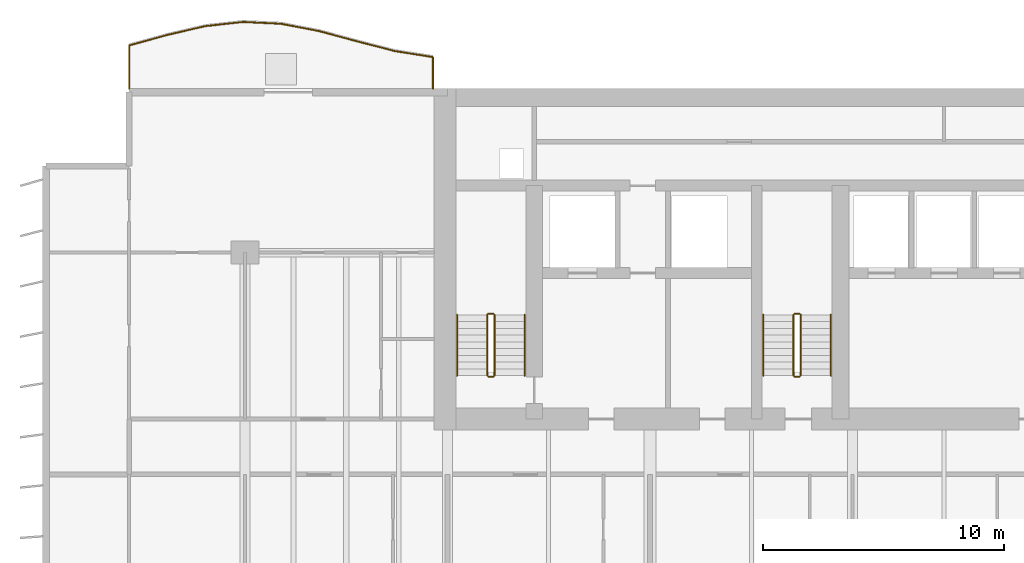
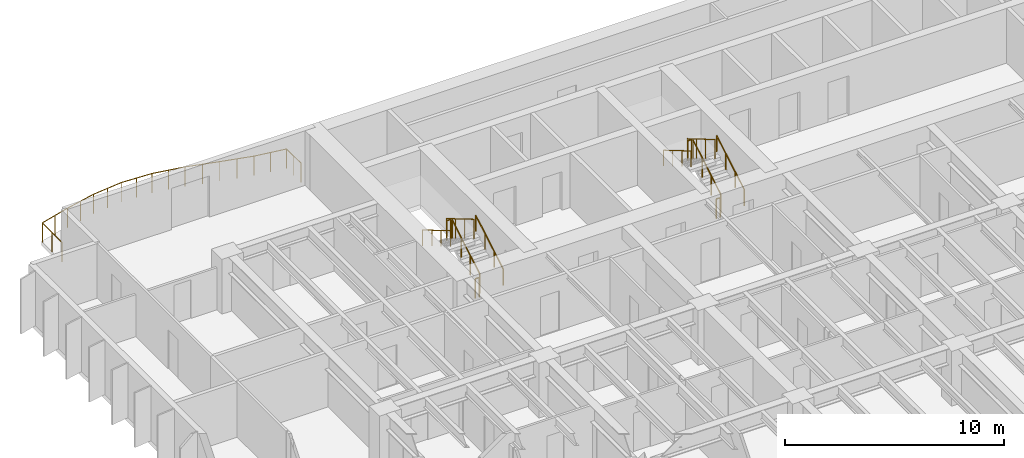
# One storey, part 15 of 17: 13 railings.
"""IFC4 building model written with IfcOpenShell, lengths in metres."""

from ifc_helpers import new_model, si_unit, direction, frame, origin, origin_2d, place, context, subcontext, project, spatial, circle, extrude, material, type_object, element, save


model = new_model("IFC4")

# Units and contexts
model_context = context("Model", 3, precision=1e-05, world=origin(), true_north=direction((0.0, 1.0)))
body_context = subcontext(model_context, "Body", "Model", "MODEL_VIEW")
ifc_project = project(units=[si_unit("LENGTHUNIT", "METRE"), si_unit("AREAUNIT", "SQUARE_METRE"), si_unit("VOLUMEUNIT", "CUBIC_METRE"), si_unit("PLANEANGLEUNIT", "RADIAN"), si_unit("MASSUNIT", "GRAM", prefix="KILO")], contexts=[model_context])

# Site, building, storey
site_placement = place(None, origin())
site = spatial("IfcSite", under=ifc_project, at=site_placement, CompositionType="ELEMENT")
building_placement = place(site_placement, origin())
building = spatial("IfcBuilding", under=site, at=building_placement, Name="Caelmar Bay Residences", CompositionType="ELEMENT")
storey_placement = place(building_placement, frame((0.0, 0.0, 53.10009765625)))
storey = spatial("IfcBuildingStorey", under=building, at=storey_placement, Name="L13", CompositionType="ELEMENT", Elevation=53.10009765625)

# Railings
ifc_material_1 = material(Name="Anodised bronze handrail with laminated hurricane glass infill", Category="glass")
railing_type_1 = type_object("IfcRailingType", Name="RL-BAL-1100", PredefinedType="BALUSTRADE", material=ifc_material_1)
railing_1_placement = place(storey_placement, frame((17.699951171875, 50.60009765625, 0.0)))
element("IfcRailing", 1, at=railing_1_placement, inside=storey, type_object=railing_type_1, Name="L13 north_west Balcony Balustrade", PredefinedType="BALUSTRADE", context=body_context, shape_type="SweptSolid", body=[
    extrude(circle(Radius=0.02392578125, at=origin_2d()), frame((0.0, 0.0, 1.076171875), z_axis=(0.0, 1.0, 0.0), x_axis=(-1.0, 0.0, 0.0)), (0.0, 0.0, 1.0), 1.306640625),
    extrude(circle(Radius=0.02392578125, at=origin_2d()), frame((0.0, 1.306640625, 1.076171875), z_axis=(-0.98772942327, 0.156174858431, 0.0), x_axis=(-0.156174858431, -0.98772942327, 0.0)), (0.0, 0.0, 1.0), 1.594482421875),
    extrude(circle(Radius=0.02392578125, at=origin_2d()), frame((-1.574951171875, 1.5556640625, 1.076171875), z_axis=(-0.968414261795, 0.249346781715, 0.0), x_axis=(-0.249346781715, -0.968414261795, 0.0)), (0.0, 0.0, 1.0), 1.626220703125),
    extrude(circle(Radius=0.02392578125, at=origin_2d()), frame((-3.14990234375, 1.961181640625, 1.076171875), z_axis=(-0.965420419953, 0.260697933895, 0.0), x_axis=(-0.260697933895, -0.965420419953, 0.0)), (0.0, 0.0, 1.0), 1.63134765625),
    extrude(circle(Radius=0.02392578125, at=origin_2d()), frame((-4.724853515625, 2.386474609375, 1.076171875), z_axis=(-0.982140830907, 0.18814725155, 0.0), x_axis=(-0.18814725155, -0.982140830907, 0.0)), (0.0, 0.0, 1.0), 1.603759765625),
    extrude(circle(Radius=0.02392578125, at=origin_2d()), frame((-6.300048828125, 2.688232421875, 1.076171875), z_axis=(-0.998824997948, 0.048462598722, 0.0), x_axis=(-0.048462598722, -0.998824997948, 0.0)), (0.0, 0.0, 1.0), 1.576904296875),
    extrude(circle(Radius=0.02392578125, at=origin_2d()), frame((-7.875, 2.7646484375, 1.076171875), z_axis=(-0.993913760533, -0.110160957802, 0.0), x_axis=(0.110160957802, -0.993913760533, 0.0)), (0.0, 0.0, 1.0), 1.584716796875),
    extrude(circle(Radius=0.02392578125, at=origin_2d()), frame((-9.449951171875, 2.590087890625, 1.076171875), z_axis=(-0.973949121844, -0.226766637887, 0.0), x_axis=(0.226766637887, -0.973949121844, 0.0)), (0.0, 0.0, 1.0), 1.6171875),
    extrude(circle(Radius=0.02392578125, at=origin_2d()), frame((-11.02490234375, 2.223388671875, 1.076171875), z_axis=(-0.963861744869, -0.266402959402, 0.0), x_axis=(0.266402959402, -0.963861744869, 0.0)), (0.0, 0.0, 1.0), 1.634033203125),
    extrude(circle(Radius=0.02392578125, at=origin_2d()), frame((-12.599853515625, 1.7880859375, 1.076171875), z_axis=(0.0, -1.0, 0.0), x_axis=(1.0, 0.0, 0.0)), (0.0, 0.0, 1.0), 1.7880859375),
    extrude(circle(Radius=0.02099609375, at=origin_2d()), origin(), (0.0, 0.0, 1.0), 1.052001953125),
    extrude(circle(Radius=0.02099609375, at=origin_2d()), frame((0.0, 0.6533203125, 0.0)), (0.0, 0.0, 1.0), 1.052001953125),
    extrude(circle(Radius=0.02099609375, at=origin_2d()), frame((0.0, 1.306640625, 0.0)), (0.0, 0.0, 1.0), 1.052001953125),
    extrude(circle(Radius=0.02099609375, at=origin_2d()), frame((-0.78759765625, 1.43115234375, 0.0)), (0.0, 0.0, 1.0), 1.052001953125),
    extrude(circle(Radius=0.02099609375, at=origin_2d()), frame((-1.574951171875, 1.5556640625, 0.0)), (0.0, 0.0, 1.0), 1.052001953125),
    extrude(circle(Radius=0.02099609375, at=origin_2d()), frame((-2.3623046875, 1.75830078125, 0.0)), (0.0, 0.0, 1.0), 1.052001953125),
    extrude(circle(Radius=0.02099609375, at=origin_2d()), frame((-3.14990234375, 1.961181640625, 0.0)), (0.0, 0.0, 1.0), 1.052001953125),
    extrude(circle(Radius=0.02099609375, at=origin_2d()), frame((-3.9375, 2.173828125, 0.0)), (0.0, 0.0, 1.0), 1.052001953125),
    extrude(circle(Radius=0.02099609375, at=origin_2d()), frame((-4.724853515625, 2.386474609375, 0.0)), (0.0, 0.0, 1.0), 1.052001953125),
    extrude(circle(Radius=0.02099609375, at=origin_2d()), frame((-5.512451171875, 2.537353515625, 0.0)), (0.0, 0.0, 1.0), 1.052001953125),
    extrude(circle(Radius=0.02099609375, at=origin_2d()), frame((-6.300048828125, 2.688232421875, 0.0)), (0.0, 0.0, 1.0), 1.052001953125),
    extrude(circle(Radius=0.02099609375, at=origin_2d()), frame((-7.08740234375, 2.7265625, 0.0)), (0.0, 0.0, 1.0), 1.052001953125),
    extrude(circle(Radius=0.02099609375, at=origin_2d()), frame((-7.875, 2.7646484375, 0.0)), (0.0, 0.0, 1.0), 1.052001953125),
    extrude(circle(Radius=0.02099609375, at=origin_2d()), frame((-8.66259765625, 2.67724609375, 0.0)), (0.0, 0.0, 1.0), 1.052001953125),
    extrude(circle(Radius=0.02099609375, at=origin_2d()), frame((-9.449951171875, 2.590087890625, 0.0)), (0.0, 0.0, 1.0), 1.052001953125),
    extrude(circle(Radius=0.02099609375, at=origin_2d()), frame((-10.2373046875, 2.40673828125, 0.0)), (0.0, 0.0, 1.0), 1.052001953125),
    extrude(circle(Radius=0.02099609375, at=origin_2d()), frame((-11.02490234375, 2.223388671875, 0.0)), (0.0, 0.0, 1.0), 1.052001953125),
    extrude(circle(Radius=0.02099609375, at=origin_2d()), frame((-11.8125, 2.005859375, 0.0)), (0.0, 0.0, 1.0), 1.052001953125),
    extrude(circle(Radius=0.02099609375, at=origin_2d()), frame((-12.599853515625, 1.7880859375, 0.0)), (0.0, 0.0, 1.0), 1.052001953125),
    extrude(circle(Radius=0.02099609375, at=origin_2d()), frame((-12.599853515625, 0.89404296875, 0.0)), (0.0, 0.0, 1.0), 1.052001953125),
    extrude(circle(Radius=0.02099609375, at=origin_2d()), frame((-12.599853515625, 0.0, 0.0)), (0.0, 0.0, 1.0), 1.052001953125),
])
ifc_material_2 = material(Name="Painted galvanized steel stair guard 1100 mm", Category="steel")
railing_type_2 = type_object("IfcRailingType", Name="RL-GRD-1100", PredefinedType="GUARDRAIL", material=ifc_material_2)
railing_2_placement = place(storey_placement, frame((20.25, 38.699951171875, 0.164794921875)))
element("IfcRailing", 2, at=railing_2_placement, inside=storey, type_object=railing_type_2, Name="L13 ST1 stair guard 1", PredefinedType="GUARDRAIL", context=body_context, shape_type="SweptSolid", body=[
    extrude(circle(Radius=0.02392578125, at=origin_2d()), frame((0.0, 0.0, 1.076171875), z_axis=(0.0, 0.86152411907, 0.507716645641), x_axis=(-1.0, 0.0, 0.0)), (0.0, 0.0, 1.0), 2.925048828125),
    extrude(circle(Radius=0.02099609375, at=origin_2d()), origin(), (0.0, 0.0, 1.0), 1.052001953125),
    extrude(circle(Radius=0.02099609375, at=origin_2d()), frame((0.0, 0.840087890625, 0.4951171875)), (0.0, 0.0, 1.0), 1.052001953125),
    extrude(circle(Radius=0.02099609375, at=origin_2d()), frame((0.0, 1.679931640625, 0.989990234375)), (0.0, 0.0, 1.0), 1.052001953125),
    extrude(circle(Radius=0.02099609375, at=origin_2d()), frame((0.0, 2.52001953125, 1.485107421875)), (0.0, 0.0, 1.0), 1.052001953125),
])
railing_3_placement = place(storey_placement, frame((20.199951171875, 41.27001953125, 1.64990234375)))
element("IfcRailing", 3, at=railing_3_placement, inside=storey, type_object=railing_type_2, Name="L13 ST1 stair guard 2", PredefinedType="GUARDRAIL", context=body_context, shape_type="SweptSolid", body=[
    extrude(circle(Radius=0.02392578125, at=origin_2d()), frame((0.0, 0.0, 1.076171875), z_axis=(-1.0, 0.0, 0.0), x_axis=(0.0, -1.0, 0.0)), (0.0, 0.0, 1.0), 0.199951171875),
    extrude(circle(Radius=0.02099609375, at=origin_2d()), origin(), (0.0, 0.0, 1.0), 1.052001953125),
    extrude(circle(Radius=0.02099609375, at=origin_2d()), frame((-0.199951171875, 0.0, 0.0)), (0.0, 0.0, 1.0), 1.052001953125),
])
railing_4_placement = place(storey_placement, frame((19.949951171875, 41.219970703125, 1.81494140625)))
element("IfcRailing", 4, at=railing_4_placement, inside=storey, type_object=railing_type_2, Name="L13 ST1 stair guard 3", PredefinedType="GUARDRAIL", context=body_context, shape_type="SweptSolid", body=[
    extrude(circle(Radius=0.02392578125, at=origin_2d()), frame((0.0, 0.0, 1.076171875), z_axis=(0.0, -0.861560626758, 0.507654692109), x_axis=(1.0, 0.0, 0.0)), (0.0, 0.0, 1.0), 2.925048828125),
    extrude(circle(Radius=0.02099609375, at=origin_2d()), origin(), (0.0, 0.0, 1.0), 1.052001953125),
    extrude(circle(Radius=0.02099609375, at=origin_2d()), frame((0.0, -0.840087890625, 0.494873046875)), (0.0, 0.0, 1.0), 1.052001953125),
    extrude(circle(Radius=0.02099609375, at=origin_2d()), frame((0.0, -1.679931640625, 0.989990234375)), (0.0, 0.0, 1.0), 1.052001953125),
    extrude(circle(Radius=0.02099609375, at=origin_2d()), frame((0.0, -2.52001953125, 1.48486328125)), (0.0, 0.0, 1.0), 1.052001953125),
])
railing_5_placement = place(storey_placement, frame((20.199951171875, 38.64990234375, 0.0)))
element("IfcRailing", 5, at=railing_5_placement, inside=storey, type_object=railing_type_2, Name="L13 ST1 stair guard 4", PredefinedType="GUARDRAIL", context=body_context, shape_type="SweptSolid", body=[
    extrude(circle(Radius=0.02392578125, at=origin_2d()), frame((0.0, 0.0, 1.076171875), z_axis=(-1.0, 0.0, 0.0), x_axis=(0.0, -1.0, 0.0)), (0.0, 0.0, 1.0), 0.199951171875),
    extrude(circle(Radius=0.02099609375, at=origin_2d()), origin(), (0.0, 0.0, 1.0), 1.052001953125),
    extrude(circle(Radius=0.02099609375, at=origin_2d()), frame((-0.199951171875, 0.0, 0.0)), (0.0, 0.0, 1.0), 1.052001953125),
])
railing_6_placement = place(storey_placement, frame((32.949951171875, 38.699951171875, 0.164794921875)))
element("IfcRailing", 6, at=railing_6_placement, inside=storey, type_object=railing_type_2, Name="L13 ST3 stair guard 1", PredefinedType="GUARDRAIL", context=body_context, shape_type="SweptSolid", body=[
    extrude(circle(Radius=0.02392578125, at=origin_2d()), frame((0.0, 0.0, 1.076171875), z_axis=(0.0, 0.86152411907, 0.507716645641), x_axis=(-1.0, 0.0, 0.0)), (0.0, 0.0, 1.0), 2.925048828125),
    extrude(circle(Radius=0.02099609375, at=origin_2d()), origin(), (0.0, 0.0, 1.0), 1.052001953125),
    extrude(circle(Radius=0.02099609375, at=origin_2d()), frame((0.0, 0.840087890625, 0.4951171875)), (0.0, 0.0, 1.0), 1.052001953125),
    extrude(circle(Radius=0.02099609375, at=origin_2d()), frame((0.0, 1.679931640625, 0.989990234375)), (0.0, 0.0, 1.0), 1.052001953125),
    extrude(circle(Radius=0.02099609375, at=origin_2d()), frame((0.0, 2.52001953125, 1.485107421875)), (0.0, 0.0, 1.0), 1.052001953125),
])
railing_7_placement = place(storey_placement, frame((32.89990234375, 41.27001953125, 1.64990234375)))
element("IfcRailing", 7, at=railing_7_placement, inside=storey, type_object=railing_type_2, Name="L13 ST3 stair guard 2", PredefinedType="GUARDRAIL", context=body_context, shape_type="SweptSolid", body=[
    extrude(circle(Radius=0.02392578125, at=origin_2d()), frame((0.0, 0.0, 1.076171875), z_axis=(-1.0, 0.0, 0.0), x_axis=(0.0, -1.0, 0.0)), (0.0, 0.0, 1.0), 0.199951171875),
    extrude(circle(Radius=0.02099609375, at=origin_2d()), origin(), (0.0, 0.0, 1.0), 1.052001953125),
    extrude(circle(Radius=0.02099609375, at=origin_2d()), frame((-0.199951171875, 0.0, 0.0)), (0.0, 0.0, 1.0), 1.052001953125),
])
railing_8_placement = place(storey_placement, frame((32.64990234375, 41.219970703125, 1.81494140625)))
element("IfcRailing", 8, at=railing_8_placement, inside=storey, type_object=railing_type_2, Name="L13 ST3 stair guard 3", PredefinedType="GUARDRAIL", context=body_context, shape_type="SweptSolid", body=[
    extrude(circle(Radius=0.02392578125, at=origin_2d()), frame((0.0, 0.0, 1.076171875), z_axis=(0.0, -0.861560626758, 0.507654692109), x_axis=(1.0, 0.0, 0.0)), (0.0, 0.0, 1.0), 2.925048828125),
    extrude(circle(Radius=0.02099609375, at=origin_2d()), origin(), (0.0, 0.0, 1.0), 1.052001953125),
    extrude(circle(Radius=0.02099609375, at=origin_2d()), frame((0.0, -0.840087890625, 0.494873046875)), (0.0, 0.0, 1.0), 1.052001953125),
    extrude(circle(Radius=0.02099609375, at=origin_2d()), frame((0.0, -1.679931640625, 0.989990234375)), (0.0, 0.0, 1.0), 1.052001953125),
    extrude(circle(Radius=0.02099609375, at=origin_2d()), frame((0.0, -2.52001953125, 1.48486328125)), (0.0, 0.0, 1.0), 1.052001953125),
])
railing_9_placement = place(storey_placement, frame((32.89990234375, 38.64990234375, 0.0)))
element("IfcRailing", 9, at=railing_9_placement, inside=storey, type_object=railing_type_2, Name="L13 ST3 stair guard 4", PredefinedType="GUARDRAIL", context=body_context, shape_type="SweptSolid", body=[
    extrude(circle(Radius=0.02392578125, at=origin_2d()), frame((0.0, 0.0, 1.076171875), z_axis=(-1.0, 0.0, 0.0), x_axis=(0.0, -1.0, 0.0)), (0.0, 0.0, 1.0), 0.199951171875),
    extrude(circle(Radius=0.02099609375, at=origin_2d()), origin(), (0.0, 0.0, 1.0), 1.052001953125),
    extrude(circle(Radius=0.02099609375, at=origin_2d()), frame((-0.199951171875, 0.0, 0.0)), (0.0, 0.0, 1.0), 1.052001953125),
])
ifc_material_3 = material(Name="Brushed bronze stainless-steel tubular handrail 900 mm", Category="steel")
railing_type_3 = type_object("IfcRailingType", Name="RL-HND-900", PredefinedType="HANDRAIL", material=ifc_material_3)
railing_10_placement = place(storey_placement, frame((21.5, 38.699951171875, 0.164794921875)))
element("IfcRailing", 10, at=railing_10_placement, inside=storey, type_object=railing_type_3, Name="L13 ST1 stair handrail 1", PredefinedType="HANDRAIL", context=body_context, shape_type="SweptSolid", body=[
    extrude(circle(Radius=0.02392578125, at=origin_2d()), frame((0.0, 0.0, 0.8759765625), z_axis=(0.0, 0.86152411907, 0.507716645641), x_axis=(-1.0, 0.0, 0.0)), (0.0, 0.0, 1.0), 2.925048828125),
    extrude(circle(Radius=0.02099609375, at=origin_2d()), origin(), (0.0, 0.0, 1.0), 0.851806640625),
    extrude(circle(Radius=0.02099609375, at=origin_2d()), frame((0.0, 0.840087890625, 0.4951171875)), (0.0, 0.0, 1.0), 0.851806640625),
    extrude(circle(Radius=0.02099609375, at=origin_2d()), frame((0.0, 1.679931640625, 0.989990234375)), (0.0, 0.0, 1.0), 0.851806640625),
    extrude(circle(Radius=0.02099609375, at=origin_2d()), frame((0.0, 2.52001953125, 1.485107421875)), (0.0, 0.0, 1.0), 0.851806640625),
])
railing_11_placement = place(storey_placement, frame((18.699951171875, 41.219970703125, 1.81494140625)))
element("IfcRailing", 11, at=railing_11_placement, inside=storey, type_object=railing_type_3, Name="L13 ST1 stair handrail 2", PredefinedType="HANDRAIL", context=body_context, shape_type="SweptSolid", body=[
    extrude(circle(Radius=0.02392578125, at=origin_2d()), frame((0.0, 0.0, 0.8759765625), z_axis=(0.0, -0.861560626758, 0.507654692109), x_axis=(1.0, 0.0, 0.0)), (0.0, 0.0, 1.0), 2.925048828125),
    extrude(circle(Radius=0.02099609375, at=origin_2d()), origin(), (0.0, 0.0, 1.0), 0.851806640625),
    extrude(circle(Radius=0.02099609375, at=origin_2d()), frame((0.0, -0.840087890625, 0.494873046875)), (0.0, 0.0, 1.0), 0.851806640625),
    extrude(circle(Radius=0.02099609375, at=origin_2d()), frame((0.0, -1.679931640625, 0.989990234375)), (0.0, 0.0, 1.0), 0.851806640625),
    extrude(circle(Radius=0.02099609375, at=origin_2d()), frame((0.0, -2.52001953125, 1.48486328125)), (0.0, 0.0, 1.0), 0.851806640625),
])
railing_12_placement = place(storey_placement, frame((34.199951171875, 38.699951171875, 0.164794921875)))
element("IfcRailing", 12, at=railing_12_placement, inside=storey, type_object=railing_type_3, Name="L13 ST3 stair handrail 1", PredefinedType="HANDRAIL", context=body_context, shape_type="SweptSolid", body=[
    extrude(circle(Radius=0.02392578125, at=origin_2d()), frame((0.0, 0.0, 0.8759765625), z_axis=(0.0, 0.86152411907, 0.507716645641), x_axis=(-1.0, 0.0, 0.0)), (0.0, 0.0, 1.0), 2.925048828125),
    extrude(circle(Radius=0.02099609375, at=origin_2d()), origin(), (0.0, 0.0, 1.0), 0.851806640625),
    extrude(circle(Radius=0.02099609375, at=origin_2d()), frame((0.0, 0.840087890625, 0.4951171875)), (0.0, 0.0, 1.0), 0.851806640625),
    extrude(circle(Radius=0.02099609375, at=origin_2d()), frame((0.0, 1.679931640625, 0.989990234375)), (0.0, 0.0, 1.0), 0.851806640625),
    extrude(circle(Radius=0.02099609375, at=origin_2d()), frame((0.0, 2.52001953125, 1.485107421875)), (0.0, 0.0, 1.0), 0.851806640625),
])
railing_13_placement = place(storey_placement, frame((31.39990234375, 41.219970703125, 1.81494140625)))
element("IfcRailing", 13, at=railing_13_placement, inside=storey, type_object=railing_type_3, Name="L13 ST3 stair handrail 2", PredefinedType="HANDRAIL", context=body_context, shape_type="SweptSolid", body=[
    extrude(circle(Radius=0.02392578125, at=origin_2d()), frame((0.0, 0.0, 0.8759765625), z_axis=(0.0, -0.861560626758, 0.507654692109), x_axis=(1.0, 0.0, 0.0)), (0.0, 0.0, 1.0), 2.925048828125),
    extrude(circle(Radius=0.02099609375, at=origin_2d()), origin(), (0.0, 0.0, 1.0), 0.851806640625),
    extrude(circle(Radius=0.02099609375, at=origin_2d()), frame((0.0, -0.840087890625, 0.494873046875)), (0.0, 0.0, 1.0), 0.851806640625),
    extrude(circle(Radius=0.02099609375, at=origin_2d()), frame((0.0, -1.679931640625, 0.989990234375)), (0.0, 0.0, 1.0), 0.851806640625),
    extrude(circle(Radius=0.02099609375, at=origin_2d()), frame((0.0, -2.52001953125, 1.48486328125)), (0.0, 0.0, 1.0), 0.851806640625),
])

save(model, "model.ifc")
